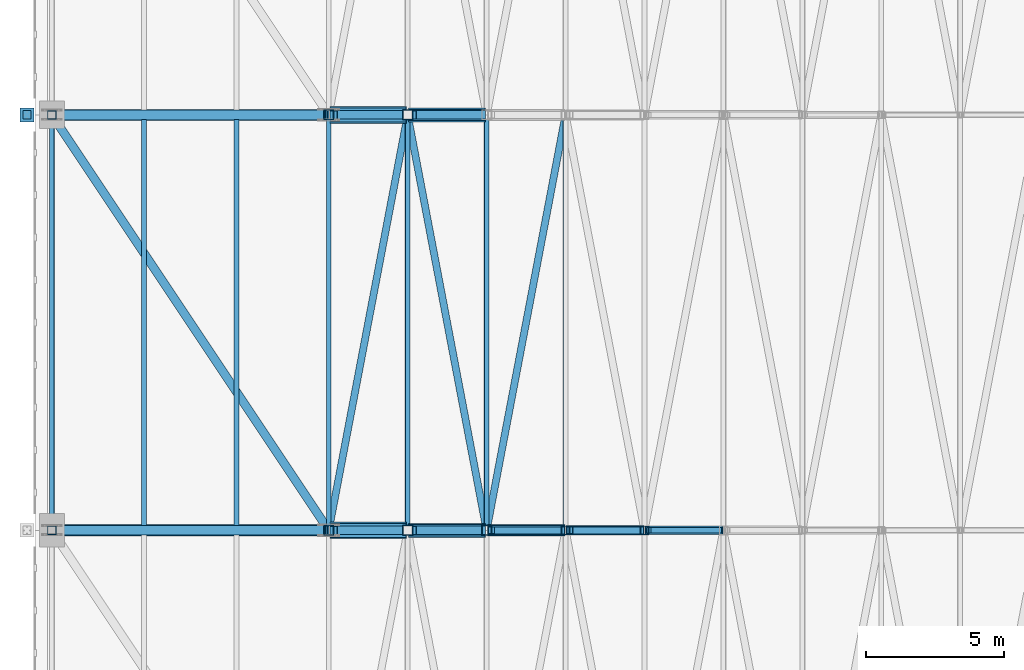
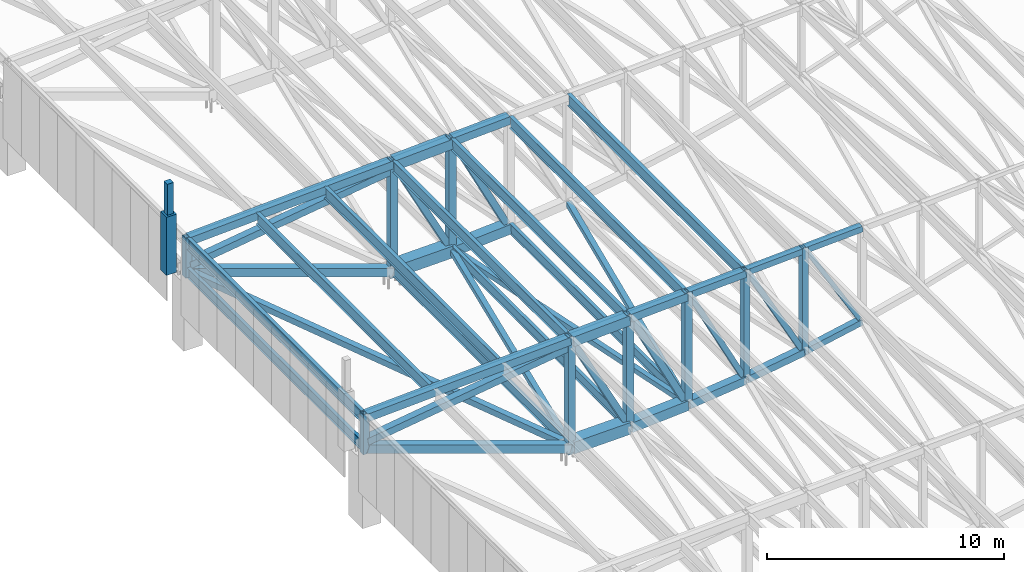
# One storey, part 36 of 278: 27 beams, 26 members.
"""IFC4 building model written with IfcOpenShell, lengths in metres."""

from ifc_helpers import new_model, si_unit, direction, frame, origin, origin_2d, place, context, subcontext, project, spatial, rectangle, hollow_rectangle, i_section, extrude, material, material_profile, profile_set, type_object, element, save


model = new_model("IFC4")

# Units and contexts
model_context = context("Model", 3, precision=1e-05, world=origin(), true_north=direction((0.0, 1.0)))
body_context = subcontext(model_context, "Body", "Model", "MODEL_VIEW")
ifc_project = project(units=[si_unit("LENGTHUNIT", "METRE"), si_unit("AREAUNIT", "SQUARE_METRE"), si_unit("VOLUMEUNIT", "CUBIC_METRE"), si_unit("PLANEANGLEUNIT", "RADIAN"), si_unit("MASSUNIT", "GRAM", prefix="KILO")], contexts=[model_context])

# Site, building, storey
site_placement = place(None, origin())
site = spatial("IfcSite", under=ifc_project, at=site_placement, CompositionType="ELEMENT")
building_placement = place(site_placement, origin())
building = spatial("IfcBuilding", under=site, at=building_placement, Name="Ogive Plaza Stadium", CompositionType="ELEMENT")
storey_placement = place(building_placement, frame((0.0, 0.0, 29.0)))
storey = spatial("IfcBuildingStorey", under=building, at=storey_placement, Name="Roof", CompositionType="ELEMENT", Elevation=29.0)

# Members
ifc_material_1 = material(Name="Concrete C45/55 precast", Category="concrete")
ifc_material_profile_1 = material_profile(ifc_material_1, rectangle(XDim=0.5, YDim=0.5, at=origin_2d()), Name="RC 500x500")
ifc_profile_set_1 = profile_set([ifc_material_profile_1], Name="Concrete C45/55 precast")
member_type_1 = type_object("IfcMemberType", Name="Precast pinnacle 500x500", PredefinedType="POST", material=ifc_profile_set_1)
member_1_placement = place(storey_placement, frame((-84.89990234375, 7.5, 4.0), z_axis=(0.0, 0.0, 1.0), x_axis=(0.0, -1.0, 0.0)))
element("IfcMember", 1, at=member_1_placement, inside=storey, type_object=member_type_1, Name="PINNACLE R25", PredefinedType="POST", context=body_context, shape_type="SweptSolid", body=[
    extrude(rectangle(XDim=0.5, YDim=0.5, at=origin_2d()), origin(), (0.0, 0.0, 1.0), 3.0),
])
ifc_material_2 = material(Name="Concrete C45/55 precast", Category="concrete")
ifc_material_profile_2 = material_profile(ifc_material_2, rectangle(XDim=0.300048828125, YDim=0.300048828125, at=origin_2d()), Name="RC 300x300")
ifc_profile_set_2 = profile_set([ifc_material_profile_2], Name="Concrete C45/55 precast")
member_type_2 = type_object("IfcMemberType", Name="Precast spire 300x300", PredefinedType="MEMBER", material=ifc_profile_set_2)
member_2_placement = place(storey_placement, frame((-84.89990234375, 7.5, 7.0), z_axis=(0.0, 0.0, 1.0), x_axis=(0.0, -1.0, 0.0)))
element("IfcMember", 2, at=member_2_placement, inside=storey, type_object=member_type_2, Name="SPIRE R25", PredefinedType="MEMBER", context=body_context, shape_type="SweptSolid", body=[
    extrude(rectangle(XDim=0.300048828125, YDim=0.300048828125, at=origin_2d()), origin(), (0.0, 0.0, 1.0), 1.60009765625),
])
ifc_material_3 = material(Name="Steel ASTM A500 Grade C", Category="steel")
ifc_material_profile_3 = material_profile(ifc_material_3, hollow_rectangle(XDim=0.25390625, YDim=0.25390625, WallThickness=0.0087890625, at=origin_2d()), Name="HSS10X10X3/8")
ifc_profile_set_3 = profile_set([ifc_material_profile_3], Name="Steel ASTM A500 Grade C")
member_type_3 = type_object("IfcMemberType", Name="Roof plan brace HSS10X10X3/8", PredefinedType="BRACE", material=ifc_profile_set_3)
member_3_placement = place(storey_placement, frame((-65.477783203125, 7.353271484375, 0.77880859375), z_axis=(-0.186639895054, -0.982268812283, -0.017706778071), x_axis=(0.982422833867, -0.186669160538, 0.0)))
element("IfcMember", 3, at=member_3_placement, inside=storey, type_object=member_type_3, Name="ROOF BRACE B24 8", PredefinedType="BRACE", context=body_context, shape_type="SweptSolid", body=[
    extrude(hollow_rectangle(XDim=0.25390625, YDim=0.25390625, WallThickness=0.0087890625, at=origin_2d()), origin(), (0.0, 0.0, 1.0), 14.946044921875),
])
member_4_placement = place(storey_placement, frame((-68.332763671875, -7.327880859375, 0.50927734375), z_axis=(-0.186657320186, 0.982381109131, -0.009295226886), x_axis=(-0.982423551356, -0.186665384421, 0.0)))
element("IfcMember", 4, at=member_4_placement, inside=storey, type_object=member_type_3, Name="ROOF BRACE B24 9", PredefinedType="BRACE", context=body_context, shape_type="SweptSolid", body=[
    extrude(hollow_rectangle(XDim=0.25390625, YDim=0.25390625, WallThickness=0.0087890625, at=origin_2d()), origin(), (0.0, 0.0, 1.0), 14.918701171875),
])
member_5_placement = place(storey_placement, frame((-71.1826171875, 7.327880859375, 0.368408203125), z_axis=(-0.186663720517, -0.982414794197, -0.004222272479), x_axis=(0.982423551356, -0.186665384421, 0.0)))
element("IfcMember", 5, at=member_5_placement, inside=storey, type_object=member_type_3, Name="ROOF BRACE B24 10", PredefinedType="BRACE", context=body_context, shape_type="SweptSolid", body=[
    extrude(hollow_rectangle(XDim=0.25390625, YDim=0.25390625, WallThickness=0.0087890625, at=origin_2d()), origin(), (0.0, 0.0, 1.0), 14.918212890625),
])
ifc_material_4 = material(Name="Steel ASTM A500 Grade C", Category="steel")
ifc_material_profile_4 = material_profile(ifc_material_4, hollow_rectangle(XDim=0.3046875, YDim=0.3046875, WallThickness=0.0087890625, at=origin_2d()), Name="HSS12X12X3/8")
ifc_profile_set_4 = profile_set([ifc_material_profile_4], Name="Steel ASTM A500 Grade C")
member_type_4 = type_object("IfcMemberType", Name="Roof plan brace HSS12X12X3/8", PredefinedType="BRACE", material=ifc_profile_set_4)
member_6_placement = place(storey_placement, frame((-74.158203125, -7.2626953125, 0.358642578125), z_axis=(-0.545096233751, 0.817651210116, 0.185247387419), x_axis=(-0.832052442118, -0.554696974542, 0.0)))
element("IfcMember", 6, at=member_6_placement, inside=storey, type_object=member_type_4, Name="ROOF BRACE B24 11", PredefinedType="BRACE", context=body_context, shape_type="SweptSolid", body=[
    extrude(hollow_rectangle(XDim=0.3046875, YDim=0.3046875, WallThickness=0.0087890625, at=origin_2d()), origin(), (0.0, 0.0, 1.0), 17.7958984375),
])
ifc_material_5 = material(Name="Steel ASTM A992 Grade 50", Category="steel")
ifc_material_profile_5 = material_profile(ifc_material_5, i_section(OverallWidth=0.1650390625, OverallDepth=0.524658203125, WebThickness=0.0087890625, FlangeThickness=0.011474609375, at=origin_2d()), Name="W21X44")
ifc_profile_set_5 = profile_set([ifc_material_profile_5], Name="Steel ASTM A992 Grade 50")
member_type_5 = type_object("IfcMemberType", Name="Roof plan strut W21X44", PredefinedType="STRUT", material=ifc_profile_set_5)
for number, where, z_axis, x_axis, name in (
    (7, (-68.300048828125, -7.352294921875, 0.510986328125), (0.0, 1.0, 0.0), (-1.0, 0.0, 0.0), "ROOF STRUT B24 8"),
    (8, (-71.14990234375, -7.352294921875, 0.369140625), (0.0, 1.0, 0.0), (-1.0, 0.0, 0.0), "ROOF STRUT B24 9"),
    (9, (-74.0, -7.352294921875, 0.3046875), (0.0, 1.0, 0.0), (-1.0, 0.0, 0.0), "ROOF STRUT B24 10"),
):
    element("IfcMember", number, at=place(storey_placement, frame(where, z_axis=z_axis, x_axis=x_axis)), inside=storey, type_object=member_type_5, Name=name, PredefinedType="STRUT", context=body_context, shape_type="SweptSolid", body=[
        extrude(i_section(OverallWidth=0.1650390625, OverallDepth=0.524658203125, WebThickness=0.0087890625, FlangeThickness=0.011474609375, at=origin_2d()), origin(), (0.0, 0.0, 1.0), 14.70458984375),
    ])
member_7_placement = place(storey_placement, frame((-84.0, -7.377685546875, 3.703125), z_axis=(0.0, 1.0, 0.0), x_axis=(-1.0, 0.0, 0.0)))
element("IfcMember", 10, at=member_7_placement, inside=storey, type_object=member_type_5, Name="ROOF STRUT B24 11", PredefinedType="STRUT", context=body_context, shape_type="SweptSolid", body=[
    extrude(i_section(OverallWidth=0.1650390625, OverallDepth=0.524658203125, WebThickness=0.0087890625, FlangeThickness=0.011474609375, at=origin_2d()), origin(), (0.0, 0.0, 1.0), 14.75537109375),
])
ifc_material_6 = material(Name="Steel ASTM A992 Grade 50", Category="steel")
ifc_material_profile_6 = material_profile(ifc_material_6, i_section(OverallWidth=0.177978515625, OverallDepth=0.5986328125, WebThickness=0.010009765625, FlangeThickness=0.012939453125, at=origin_2d()), Name="W24X55")
ifc_profile_set_6 = profile_set([ifc_material_profile_6], Name="Steel ASTM A992 Grade 50")
member_type_6 = type_object("IfcMemberType", Name="Roof purlin W24X55", PredefinedType="PURLIN", material=ifc_profile_set_6)
member_8_placement = place(storey_placement, frame((-65.449951171875, -7.377685546875, 6.128173828125), z_axis=(0.0, 1.0, 0.0), x_axis=(-1.0, 0.0, 0.0)))
element("IfcMember", 11, at=member_8_placement, inside=storey, type_object=member_type_6, Name="ROOF PURLIN B24 7", PredefinedType="PURLIN", context=body_context, shape_type="SweptSolid", body=[
    extrude(i_section(OverallWidth=0.177978515625, OverallDepth=0.5986328125, WebThickness=0.010009765625, FlangeThickness=0.012939453125, at=origin_2d()), origin(), (0.0, 0.0, 1.0), 14.75537109375),
])
for number, where, z_axis, x_axis, name in (
    (12, (-68.300048828125, -7.352294921875, 5.985595703125), (0.0, 1.0, 0.0), (-1.0, 0.0, 0.0), "ROOF PURLIN B24 8"),
    (13, (-71.14990234375, -7.352294921875, 5.84326171875), (0.0, 1.0, 0.0), (-1.0, 0.0, 0.0), "ROOF PURLIN B24 9"),
    (14, (-74.0, -7.352294921875, 5.70068359375), (0.0, 1.0, 0.0), (-1.0, 0.0, 0.0), "ROOF PURLIN B24 10"),
):
    element("IfcMember", number, at=place(storey_placement, frame(where, z_axis=z_axis, x_axis=x_axis)), inside=storey, type_object=member_type_6, Name=name, PredefinedType="PURLIN", context=body_context, shape_type="SweptSolid", body=[
        extrude(i_section(OverallWidth=0.177978515625, OverallDepth=0.5986328125, WebThickness=0.010009765625, FlangeThickness=0.012939453125, at=origin_2d()), origin(), (0.0, 0.0, 1.0), 14.70458984375),
    ])
for number, where, z_axis, x_axis, name in (
    (15, (-77.333251953125, -7.326904296875, 5.533935546875), (0.0, 1.0, 0.0), (-1.0, 0.0, 0.0), "ROOF PURLIN B24 11"),
    (16, (-80.666748046875, -7.326904296875, 5.367431640625), (0.0, 1.0, 0.0), (-1.0, 0.0, 0.0), "ROOF PURLIN B24 12"),
):
    element("IfcMember", number, at=place(storey_placement, frame(where, z_axis=z_axis, x_axis=x_axis)), inside=storey, type_object=member_type_6, Name=name, PredefinedType="PURLIN", context=body_context, shape_type="SweptSolid", body=[
        extrude(i_section(OverallWidth=0.177978515625, OverallDepth=0.5986328125, WebThickness=0.010009765625, FlangeThickness=0.012939453125, at=origin_2d()), origin(), (0.0, 0.0, 1.0), 14.65380859375),
    ])
member_9_placement = place(storey_placement, frame((-84.0, -7.377685546875, 5.20068359375), z_axis=(0.0, 1.0, 0.0), x_axis=(-1.0, 0.0, 0.0)))
element("IfcMember", 17, at=member_9_placement, inside=storey, type_object=member_type_6, Name="ROOF PURLIN B24 13", PredefinedType="PURLIN", context=body_context, shape_type="SweptSolid", body=[
    extrude(i_section(OverallWidth=0.177978515625, OverallDepth=0.5986328125, WebThickness=0.010009765625, FlangeThickness=0.012939453125, at=origin_2d()), origin(), (0.0, 0.0, 1.0), 14.75537109375),
])

# Beams
ifc_material_7 = material(Name="Steel ASTM A500 Grade C", Category="steel")
ifc_material_profile_7 = material_profile(ifc_material_7, hollow_rectangle(XDim=0.406494140625, YDim=0.406494140625, WallThickness=0.0146484375, at=origin_2d()), Name="HSS16X16X5/8")
ifc_profile_set_7 = profile_set([ifc_material_profile_7], Name="Steel ASTM A500 Grade C")
beam_type_1 = type_object("IfcBeamType", Name="Roof truss back-span bottom chord HSS16X16X5/8", PredefinedType="BEAM", material=ifc_profile_set_7)
for number, where, z_axis, x_axis, name in (
    (18, (-74.050048828125, -7.5, 0.232666015625), (-0.943851085966, 0.0, 0.330371196567), (0.0, -1.0, 0.0), "ROOF TRUSS T24 BOTTOM CHORD 11"),
    (19, (-74.050048828125, 7.5, 0.232666015625), (-0.943851085966, 0.0, 0.330371196567), (0.0, -1.0, 0.0), "ROOF TRUSS T25 BOTTOM CHORD 11"),
):
    element("IfcBeam", number, at=place(storey_placement, frame(where, z_axis=z_axis, x_axis=x_axis)), inside=storey, type_object=beam_type_1, Name=name, PredefinedType="BEAM", context=body_context, shape_type="SweptSolid", body=[
        extrude(hollow_rectangle(XDim=0.406494140625, YDim=0.406494140625, WallThickness=0.0146484375, at=origin_2d()), origin(), (0.0, 0.0, 1.0), 10.470703125),
    ])
ifc_material_8 = material(Name="Steel ASTM A500 Grade C", Category="steel")
ifc_material_profile_8 = material_profile(ifc_material_8, hollow_rectangle(XDim=0.406494140625, YDim=0.406494140625, WallThickness=0.0146484375, at=origin_2d()), Name="HSS16X16X5/8")
ifc_profile_set_8 = profile_set([ifc_material_profile_8], Name="Steel ASTM A500 Grade C")
beam_type_2 = type_object("IfcBeamType", Name="Roof truss back-span top chord HSS16X16X5/8", PredefinedType="BEAM", material=ifc_profile_set_8)
for number, where, z_axis, x_axis, name in (
    (20, (-74.050048828125, -7.5, 5.7939453125), (-0.998752953021, 0.0, -0.049925332571), (0.0, -1.0, 0.0), "ROOF TRUSS T24 TOP CHORD 11"),
    (21, (-74.050048828125, 7.5, 5.7939453125), (-0.998752953021, 0.0, -0.049925332571), (0.0, -1.0, 0.0), "ROOF TRUSS T25 TOP CHORD 11"),
):
    element("IfcBeam", number, at=place(storey_placement, frame(where, z_axis=z_axis, x_axis=x_axis)), inside=storey, type_object=beam_type_2, Name=name, PredefinedType="BEAM", context=body_context, shape_type="SweptSolid", body=[
        extrude(hollow_rectangle(XDim=0.406494140625, YDim=0.406494140625, WallThickness=0.0146484375, at=origin_2d()), origin(), (0.0, 0.0, 1.0), 9.912353515625),
    ])

# Members
ifc_material_9 = material(Name="Steel ASTM A500 Grade C", Category="steel")
ifc_material_profile_9 = material_profile(ifc_material_9, hollow_rectangle(XDim=0.355712890625, YDim=0.355712890625, WallThickness=0.0146484375, at=origin_2d()), Name="HSS14X14X5/8")
ifc_profile_set_9 = profile_set([ifc_material_profile_9], Name="Steel ASTM A500 Grade C")
member_type_7 = type_object("IfcMemberType", Name="Roof truss back-stay HSS14X14X5/8", PredefinedType="BRACE", material=ifc_profile_set_9)
for number, where, z_axis, x_axis, name in (
    (22, (-74.093017578125, -7.5, 5.45654296875), (-0.989844100519, 0.0, -0.142157154826), (0.0, -1.0, 0.0), "BACK-STAY T24"),
    (23, (-74.093017578125, 7.5, 5.45654296875), (-0.989844100519, 0.0, -0.142157154826), (0.0, -1.0, 0.0), "BACK-STAY T25"),
):
    element("IfcMember", number, at=place(storey_placement, frame(where, z_axis=z_axis, x_axis=x_axis)), inside=storey, type_object=member_type_7, Name=name, PredefinedType="BRACE", context=body_context, shape_type="SweptSolid", body=[
        extrude(hollow_rectangle(XDim=0.355712890625, YDim=0.355712890625, WallThickness=0.0146484375, at=origin_2d()), origin(), (0.0, 0.0, 1.0), 9.9404296875),
    ])

# Beams
ifc_material_10 = material(Name="Steel ASTM A500 Grade C", Category="steel")
ifc_material_profile_10 = material_profile(ifc_material_10, hollow_rectangle(XDim=0.3046875, YDim=0.3046875, WallThickness=0.0146484375, at=origin_2d()), Name="HSS12X12X5/8")
ifc_profile_set_10 = profile_set([ifc_material_profile_10], Name="Steel ASTM A500 Grade C")
beam_type_3 = type_object("IfcBeamType", Name="Roof truss bottom chord HSS12X12X5/8", PredefinedType="BEAM", material=ifc_profile_set_10)
beam_1_placement = place(storey_placement, frame((-59.800048828125, -7.5, 1.751708984375), z_axis=(-0.980021250437, 0.0, -0.19889280704), x_axis=(0.0, -1.0, 0.0)))
element("IfcBeam", 24, at=beam_1_placement, inside=storey, type_object=beam_type_3, Name="ROOF TRUSS T24 BOTTOM CHORD 6", PredefinedType="BEAM", context=body_context, shape_type="SweptSolid", body=[
    extrude(hollow_rectangle(XDim=0.3046875, YDim=0.3046875, WallThickness=0.0146484375, at=origin_2d()), origin(), (0.0, 0.0, 1.0), 2.80615234375),
])
ifc_material_11 = material(Name="Steel ASTM A500 Grade C", Category="steel")
ifc_material_profile_11 = material_profile(ifc_material_11, hollow_rectangle(XDim=0.355712890625, YDim=0.355712890625, WallThickness=0.0146484375, at=origin_2d()), Name="HSS14X14X5/8")
ifc_profile_set_11 = profile_set([ifc_material_profile_11], Name="Steel ASTM A500 Grade C")
beam_type_4 = type_object("IfcBeamType", Name="Roof truss bottom chord HSS14X14X5/8", PredefinedType="BEAM", material=ifc_profile_set_11)
beam_2_placement = place(storey_placement, frame((-62.64990234375, -7.5, 1.2001953125), z_axis=(-0.987770074518, 0.0, -0.155917541947), x_axis=(0.0, -1.0, 0.0)))
element("IfcBeam", 25, at=beam_2_placement, inside=storey, type_object=beam_type_4, Name="ROOF TRUSS T24 BOTTOM CHORD 7", PredefinedType="BEAM", context=body_context, shape_type="SweptSolid", body=[
    extrude(hollow_rectangle(XDim=0.355712890625, YDim=0.355712890625, WallThickness=0.0146484375, at=origin_2d()), origin(), (0.0, 0.0, 1.0), 2.783935546875),
])
ifc_material_12 = material(Name="Steel ASTM A500 Grade C", Category="steel")
ifc_material_profile_12 = material_profile(ifc_material_12, hollow_rectangle(XDim=0.406494140625, YDim=0.406494140625, WallThickness=0.0146484375, at=origin_2d()), Name="HSS16X16X5/8")
ifc_profile_set_12 = profile_set([ifc_material_profile_12], Name="Steel ASTM A500 Grade C")
beam_type_5 = type_object("IfcBeamType", Name="Roof truss bottom chord HSS16X16X5/8", PredefinedType="BEAM", material=ifc_profile_set_12)
beam_3_placement = place(storey_placement, frame((-65.5, -7.5, 0.777099609375), z_axis=(-0.993703844406, 0.0, -0.112038696946), x_axis=(0.0, -1.0, 0.0)))
element("IfcBeam", 26, at=beam_3_placement, inside=storey, type_object=beam_type_5, Name="ROOF TRUSS T24 BOTTOM CHORD 8", PredefinedType="BEAM", context=body_context, shape_type="SweptSolid", body=[
    extrude(hollow_rectangle(XDim=0.406494140625, YDim=0.406494140625, WallThickness=0.0146484375, at=origin_2d()), origin(), (0.0, 0.0, 1.0), 2.767333984375),
])
ifc_material_13 = material(Name="Steel ASTM A500 Grade C", Category="steel")
ifc_material_profile_13 = material_profile(ifc_material_13, hollow_rectangle(XDim=0.508056640625, YDim=0.508056640625, WallThickness=0.0146484375, at=origin_2d()), Name="HSS20X20X5/8")
ifc_profile_set_13 = profile_set([ifc_material_profile_13], Name="Steel ASTM A500 Grade C")
beam_type_6 = type_object("IfcBeamType", Name="Roof truss bottom chord HSS20X20X5/8", PredefinedType="BEAM", material=ifc_profile_set_13)
for number, where, z_axis, x_axis, name in (
    (27, (-68.35009765625, -7.5, 0.50830078125), (-0.997719620387, 0.0, -0.06749488199), (0.0, -1.0, 0.0), "ROOF TRUSS T24 BOTTOM CHORD 9"),
    (28, (-68.35009765625, 7.5, 0.50830078125), (-0.997719620387, 0.0, -0.06749488199), (0.0, -1.0, 0.0), "ROOF TRUSS T25 BOTTOM CHORD 9"),
):
    element("IfcBeam", number, at=place(storey_placement, frame(where, z_axis=z_axis, x_axis=x_axis)), inside=storey, type_object=beam_type_6, Name=name, PredefinedType="BEAM", context=body_context, shape_type="SweptSolid", body=[
        extrude(hollow_rectangle(XDim=0.508056640625, YDim=0.508056640625, WallThickness=0.0146484375, at=origin_2d()), origin(), (0.0, 0.0, 1.0), 2.75634765625),
    ])
ifc_material_14 = material(Name="Steel ASTM A500 Grade C", Category="steel")
ifc_material_profile_14 = material_profile(ifc_material_14, hollow_rectangle(XDim=0.609619140625, YDim=0.609619140625, WallThickness=0.0146484375, at=origin_2d()), Name="HSS24X24X5/8")
ifc_profile_set_14 = profile_set([ifc_material_profile_14], Name="Steel ASTM A500 Grade C")
beam_type_7 = type_object("IfcBeamType", Name="Roof truss bottom chord HSS24X24X5/8", PredefinedType="BEAM", material=ifc_profile_set_14)
for number, where, z_axis, x_axis, name in (
    (29, (-71.199951171875, -7.5, 0.367919921875), (-0.999745852076, 0.0, -0.022543984946), (0.0, -1.0, 0.0), "ROOF TRUSS T24 BOTTOM CHORD 10"),
    (30, (-71.199951171875, 7.5, 0.367919921875), (-0.999745852076, 0.0, -0.022543984946), (0.0, -1.0, 0.0), "ROOF TRUSS T25 BOTTOM CHORD 10"),
):
    element("IfcBeam", number, at=place(storey_placement, frame(where, z_axis=z_axis, x_axis=x_axis)), inside=storey, type_object=beam_type_7, Name=name, PredefinedType="BEAM", context=body_context, shape_type="SweptSolid", body=[
        extrude(hollow_rectangle(XDim=0.609619140625, YDim=0.609619140625, WallThickness=0.0146484375, at=origin_2d()), origin(), (0.0, 0.0, 1.0), 2.750732421875),
    ])

# Members
ifc_material_15 = material(Name="Steel ASTM A500 Grade C", Category="steel")
ifc_material_profile_15 = material_profile(ifc_material_15, hollow_rectangle(XDim=0.25390625, YDim=0.25390625, WallThickness=0.0087890625, at=origin_2d()), Name="HSS10X10X3/8")
ifc_profile_set_15 = profile_set([ifc_material_profile_15], Name="Steel ASTM A500 Grade C")
member_type_8 = type_object("IfcMemberType", Name="Roof truss diagonal HSS10X10X3/8", PredefinedType="BRACE", material=ifc_profile_set_15)
member_10_placement = place(storey_placement, frame((-62.75244140625, -7.5, 1.383544921875), z_axis=(-0.473127942579, 0.0, 0.880993728667), x_axis=(0.0, -1.0, 0.0)))
element("IfcMember", 31, at=member_10_placement, inside=storey, type_object=member_type_8, Name="ROOF TRUSS T24 DIAGONAL 7", PredefinedType="BRACE", context=body_context, shape_type="SweptSolid", body=[
    extrude(hollow_rectangle(XDim=0.25390625, YDim=0.25390625, WallThickness=0.0087890625, at=origin_2d()), origin(), (0.0, 0.0, 1.0), 5.37939453125),
])
member_11_placement = place(storey_placement, frame((-65.602294921875, -7.5, 0.984619140625), z_axis=(-0.454062843231, 0.0, 0.890969659639), x_axis=(0.0, -1.0, 0.0)))
element("IfcMember", 32, at=member_11_placement, inside=storey, type_object=member_type_8, Name="ROOF TRUSS T24 DIAGONAL 8", PredefinedType="BRACE", context=body_context, shape_type="SweptSolid", body=[
    extrude(hollow_rectangle(XDim=0.25390625, YDim=0.25390625, WallThickness=0.0087890625, at=origin_2d()), origin(), (0.0, 0.0, 1.0), 5.550048828125),
])
ifc_material_16 = material(Name="Steel ASTM A500 Grade C", Category="steel")
ifc_material_profile_16 = material_profile(ifc_material_16, hollow_rectangle(XDim=0.3046875, YDim=0.3046875, WallThickness=0.0087890625, at=origin_2d()), Name="HSS12X12X3/8")
ifc_profile_set_16 = profile_set([ifc_material_profile_16], Name="Steel ASTM A500 Grade C")
member_type_9 = type_object("IfcMemberType", Name="Roof truss diagonal HSS12X12X3/8", PredefinedType="BRACE", material=ifc_profile_set_16)
member_12_placement = place(storey_placement, frame((-68.477783203125, -7.5, 0.764892578125), z_axis=(-0.448477330766, 0.0, 0.893794206621), x_axis=(0.0, -1.0, 0.0)))
element("IfcMember", 33, at=member_12_placement, inside=storey, type_object=member_type_9, Name="ROOF TRUSS T24 DIAGONAL 9", PredefinedType="BRACE", context=body_context, shape_type="SweptSolid", body=[
    extrude(hollow_rectangle(XDim=0.3046875, YDim=0.3046875, WallThickness=0.0087890625, at=origin_2d()), origin(), (0.0, 0.0, 1.0), 5.56201171875),
])
member_13_placement = place(storey_placement, frame((-71.327880859375, -7.5, 0.673828125), z_axis=(-0.459750963822, 0.0, 0.888047887934), x_axis=(0.0, -1.0, 0.0)))
element("IfcMember", 34, at=member_13_placement, inside=storey, type_object=member_type_9, Name="ROOF TRUSS T24 DIAGONAL 10", PredefinedType="BRACE", context=body_context, shape_type="SweptSolid", body=[
    extrude(hollow_rectangle(XDim=0.3046875, YDim=0.3046875, WallThickness=0.0087890625, at=origin_2d()), origin(), (0.0, 0.0, 1.0), 5.425537109375),
])
member_14_placement = place(storey_placement, frame((-68.477783203125, 7.5, 0.764892578125), z_axis=(-0.448477330766, 0.0, 0.893794206621), x_axis=(0.0, -1.0, 0.0)))
element("IfcMember", 35, at=member_14_placement, inside=storey, type_object=member_type_9, Name="ROOF TRUSS T25 DIAGONAL 9", PredefinedType="BRACE", context=body_context, shape_type="SweptSolid", body=[
    extrude(hollow_rectangle(XDim=0.3046875, YDim=0.3046875, WallThickness=0.0087890625, at=origin_2d()), origin(), (0.0, 0.0, 1.0), 5.56201171875),
])
member_15_placement = place(storey_placement, frame((-71.327880859375, 7.5, 0.673828125), z_axis=(-0.459750963822, 0.0, 0.888047887934), x_axis=(0.0, -1.0, 0.0)))
element("IfcMember", 36, at=member_15_placement, inside=storey, type_object=member_type_9, Name="ROOF TRUSS T25 DIAGONAL 10", PredefinedType="BRACE", context=body_context, shape_type="SweptSolid", body=[
    extrude(hollow_rectangle(XDim=0.3046875, YDim=0.3046875, WallThickness=0.0087890625, at=origin_2d()), origin(), (0.0, 0.0, 1.0), 5.425537109375),
])
ifc_material_17 = material(Name="Steel ASTM A500 Grade C", Category="steel")
ifc_material_profile_17 = material_profile(ifc_material_17, hollow_rectangle(XDim=0.203125, YDim=0.203125, WallThickness=0.0087890625, at=origin_2d()), Name="HSS8X8X3/8")
ifc_profile_set_17 = profile_set([ifc_material_profile_17], Name="Steel ASTM A500 Grade C")
member_type_10 = type_object("IfcMemberType", Name="Roof truss diagonal HSS8X8X3/8", PredefinedType="BRACE", material=ifc_profile_set_17)
member_16_placement = place(storey_placement, frame((-59.90234375, -7.5, 1.9111328125), z_axis=(-0.504659398762, 0.0, 0.863318534054), x_axis=(0.0, -1.0, 0.0)))
element("IfcMember", 37, at=member_16_placement, inside=storey, type_object=member_type_10, Name="ROOF TRUSS T24 DIAGONAL 6", PredefinedType="BRACE", context=body_context, shape_type="SweptSolid", body=[
    extrude(hollow_rectangle(XDim=0.203125, YDim=0.203125, WallThickness=0.0087890625, at=origin_2d()), origin(), (0.0, 0.0, 1.0), 5.043212890625),
])

# Beams
ifc_material_18 = material(Name="Steel ASTM A500 Grade C", Category="steel")
ifc_material_profile_18 = material_profile(ifc_material_18, hollow_rectangle(XDim=0.3046875, YDim=0.3046875, WallThickness=0.01171875, at=origin_2d()), Name="HSS12X12X1/2")
ifc_profile_set_18 = profile_set([ifc_material_profile_18], Name="Steel ASTM A500 Grade C")
beam_type_8 = type_object("IfcBeamType", Name="Roof truss post HSS12X12X1/2", PredefinedType="BEAM", material=ifc_profile_set_18)
for number, where, z_axis, x_axis, name in (
    (38, (-84.0, -7.5, 3.43994140625), (0.0, 0.0, 1.0), (0.0, -1.0, 0.0), "ROOF TRUSS T24 POST 12"),
    (39, (-84.0, 7.5, 3.43994140625), (0.0, 0.0, 1.0), (0.0, -1.0, 0.0), "ROOF TRUSS T25 POST 12"),
):
    element("IfcBeam", number, at=place(storey_placement, frame(where, z_axis=z_axis, x_axis=x_axis)), inside=storey, type_object=beam_type_8, Name=name, PredefinedType="BEAM", context=body_context, shape_type="SweptSolid", body=[
        extrude(hollow_rectangle(XDim=0.3046875, YDim=0.3046875, WallThickness=0.01171875, at=origin_2d()), origin(), (0.0, 0.0, 1.0), 2.06005859375),
    ])
ifc_material_19 = material(Name="Steel ASTM A500 Grade C", Category="steel")
ifc_material_profile_19 = material_profile(ifc_material_19, hollow_rectangle(XDim=0.3046875, YDim=0.3046875, WallThickness=0.0146484375, at=origin_2d()), Name="HSS12X12X5/8")
ifc_profile_set_19 = profile_set([ifc_material_profile_19], Name="Steel ASTM A500 Grade C")
beam_type_9 = type_object("IfcBeamType", Name="Roof truss post HSS12X12X5/8", PredefinedType="BEAM", material=ifc_profile_set_19)
beam_4_placement = place(storey_placement, frame((-62.60009765625, -7.5, 1.028076171875), z_axis=(0.0, 0.0, 1.0), x_axis=(0.0, -1.0, 0.0)))
element("IfcBeam", 40, at=beam_4_placement, inside=storey, type_object=beam_type_9, Name="ROOF TRUSS T24 POST 7", PredefinedType="BEAM", context=body_context, shape_type="SweptSolid", body=[
    extrude(hollow_rectangle(XDim=0.3046875, YDim=0.3046875, WallThickness=0.0146484375, at=origin_2d()), origin(), (0.0, 0.0, 1.0), 5.5419921875),
])
beam_5_placement = place(storey_placement, frame((-65.449951171875, -7.5, 0.578369140625), z_axis=(0.0, 0.0, 1.0), x_axis=(0.0, -1.0, 0.0)))
element("IfcBeam", 41, at=beam_5_placement, inside=storey, type_object=beam_type_9, Name="ROOF TRUSS T24 POST 8", PredefinedType="BEAM", context=body_context, shape_type="SweptSolid", body=[
    extrude(hollow_rectangle(XDim=0.3046875, YDim=0.3046875, WallThickness=0.0146484375, at=origin_2d()), origin(), (0.0, 0.0, 1.0), 5.84912109375),
])
ifc_material_20 = material(Name="Steel ASTM A500 Grade C", Category="steel")
ifc_material_profile_20 = material_profile(ifc_material_20, hollow_rectangle(XDim=0.355712890625, YDim=0.355712890625, WallThickness=0.0146484375, at=origin_2d()), Name="HSS14X14X5/8")
ifc_profile_set_20 = profile_set([ifc_material_profile_20], Name="Steel ASTM A500 Grade C")
beam_type_10 = type_object("IfcBeamType", Name="Roof truss post HSS14X14X5/8", PredefinedType="BEAM", material=ifc_profile_set_20)
beam_6_placement = place(storey_placement, frame((-68.300048828125, -7.5, 0.257080078125), z_axis=(0.0, 0.0, 1.0), x_axis=(0.0, -1.0, 0.0)))
element("IfcBeam", 42, at=beam_6_placement, inside=storey, type_object=beam_type_10, Name="ROOF TRUSS T24 POST 9", PredefinedType="BEAM", context=body_context, shape_type="SweptSolid", body=[
    extrude(hollow_rectangle(XDim=0.355712890625, YDim=0.355712890625, WallThickness=0.0146484375, at=origin_2d()), origin(), (0.0, 0.0, 1.0), 6.02783203125),
])
beam_7_placement = place(storey_placement, frame((-71.14990234375, -7.5, 0.064208984375), z_axis=(0.0, 0.0, 1.0), x_axis=(0.0, -1.0, 0.0)))
element("IfcBeam", 43, at=beam_7_placement, inside=storey, type_object=beam_type_10, Name="ROOF TRUSS T24 POST 10", PredefinedType="BEAM", context=body_context, shape_type="SweptSolid", body=[
    extrude(hollow_rectangle(XDim=0.355712890625, YDim=0.355712890625, WallThickness=0.0146484375, at=origin_2d()), origin(), (0.0, 0.0, 1.0), 6.078369140625),
])
beam_8_placement = place(storey_placement, frame((-74.0, -7.5, -0.06005859375), z_axis=(0.0, 0.0, 1.0), x_axis=(0.0, -1.0, 0.0)))
element("IfcBeam", 44, at=beam_8_placement, inside=storey, type_object=beam_type_10, Name="ROOF TRUSS T24 POST 11", PredefinedType="BEAM", context=body_context, shape_type="SweptSolid", body=[
    extrude(hollow_rectangle(XDim=0.355712890625, YDim=0.355712890625, WallThickness=0.0146484375, at=origin_2d()), origin(), (0.0, 0.0, 1.0), 6.06005859375),
])
beam_9_placement = place(storey_placement, frame((-71.14990234375, 7.5, 0.064208984375), z_axis=(0.0, 0.0, 1.0), x_axis=(0.0, -1.0, 0.0)))
element("IfcBeam", 45, at=beam_9_placement, inside=storey, type_object=beam_type_10, Name="ROOF TRUSS T25 POST 10", PredefinedType="BEAM", context=body_context, shape_type="SweptSolid", body=[
    extrude(hollow_rectangle(XDim=0.355712890625, YDim=0.355712890625, WallThickness=0.0146484375, at=origin_2d()), origin(), (0.0, 0.0, 1.0), 6.078369140625),
])
beam_10_placement = place(storey_placement, frame((-74.0, 7.5, -0.06005859375), z_axis=(0.0, 0.0, 1.0), x_axis=(0.0, -1.0, 0.0)))
element("IfcBeam", 46, at=beam_10_placement, inside=storey, type_object=beam_type_10, Name="ROOF TRUSS T25 POST 11", PredefinedType="BEAM", context=body_context, shape_type="SweptSolid", body=[
    extrude(hollow_rectangle(XDim=0.355712890625, YDim=0.355712890625, WallThickness=0.0146484375, at=origin_2d()), origin(), (0.0, 0.0, 1.0), 6.06005859375),
])
ifc_material_21 = material(Name="Steel ASTM A500 Grade C", Category="steel")
ifc_material_profile_21 = material_profile(ifc_material_21, hollow_rectangle(XDim=0.3046875, YDim=0.3046875, WallThickness=0.01171875, at=origin_2d()), Name="HSS12X12X1/2")
ifc_profile_set_21 = profile_set([ifc_material_profile_21], Name="Steel ASTM A500 Grade C")
beam_type_11 = type_object("IfcBeamType", Name="Roof truss top chord HSS12X12X1/2", PredefinedType="BEAM", material=ifc_profile_set_21)
beam_11_placement = place(storey_placement, frame((-62.64990234375, -7.5, 6.414794921875), z_axis=(-0.998753223187, 0.0, -0.049919927615), x_axis=(0.0, -1.0, 0.0)))
element("IfcBeam", 47, at=beam_11_placement, inside=storey, type_object=beam_type_11, Name="ROOF TRUSS T24 TOP CHORD 7", PredefinedType="BEAM", context=body_context, shape_type="SweptSolid", body=[
    extrude(hollow_rectangle(XDim=0.3046875, YDim=0.3046875, WallThickness=0.01171875, at=origin_2d()), origin(), (0.0, 0.0, 1.0), 2.75341796875),
])
ifc_material_22 = material(Name="Steel ASTM A500 Grade C", Category="steel")
ifc_material_profile_22 = material_profile(ifc_material_22, hollow_rectangle(XDim=0.3046875, YDim=0.3046875, WallThickness=0.0087890625, at=origin_2d()), Name="HSS12X12X3/8")
ifc_profile_set_22 = profile_set([ifc_material_profile_22], Name="Steel ASTM A500 Grade C")
beam_type_12 = type_object("IfcBeamType", Name="Roof truss top chord HSS12X12X3/8", PredefinedType="BEAM", material=ifc_profile_set_22)
beam_12_placement = place(storey_placement, frame((-59.800048828125, -7.5, 6.557373046875), z_axis=(-0.998753223187, 0.0, -0.049919927615), x_axis=(0.0, -1.0, 0.0)))
element("IfcBeam", 48, at=beam_12_placement, inside=storey, type_object=beam_type_12, Name="ROOF TRUSS T24 TOP CHORD 6", PredefinedType="BEAM", context=body_context, shape_type="SweptSolid", body=[
    extrude(hollow_rectangle(XDim=0.3046875, YDim=0.3046875, WallThickness=0.0087890625, at=origin_2d()), origin(), (0.0, 0.0, 1.0), 2.75341796875),
])
ifc_material_23 = material(Name="Steel ASTM A500 Grade C", Category="steel")
ifc_material_profile_23 = material_profile(ifc_material_23, hollow_rectangle(XDim=0.355712890625, YDim=0.355712890625, WallThickness=0.01171875, at=origin_2d()), Name="HSS14X14X1/2")
ifc_profile_set_23 = profile_set([ifc_material_profile_23], Name="Steel ASTM A500 Grade C")
beam_type_13 = type_object("IfcBeamType", Name="Roof truss top chord HSS14X14X1/2", PredefinedType="BEAM", material=ifc_profile_set_23)
beam_13_placement = place(storey_placement, frame((-65.5, -7.5, 6.2470703125), z_axis=(-0.998748798523, 0.0, -0.05000837379), x_axis=(0.0, -1.0, 0.0)))
element("IfcBeam", 49, at=beam_13_placement, inside=storey, type_object=beam_type_13, Name="ROOF TRUSS T24 TOP CHORD 8", PredefinedType="BEAM", context=body_context, shape_type="SweptSolid", body=[
    extrude(hollow_rectangle(XDim=0.355712890625, YDim=0.355712890625, WallThickness=0.01171875, at=origin_2d()), origin(), (0.0, 0.0, 1.0), 2.75341796875),
])
ifc_material_24 = material(Name="Steel ASTM A500 Grade C", Category="steel")
ifc_material_profile_24 = material_profile(ifc_material_24, hollow_rectangle(XDim=0.406494140625, YDim=0.406494140625, WallThickness=0.01171875, at=origin_2d()), Name="HSS16X16X1/2")
ifc_profile_set_24 = profile_set([ifc_material_profile_24], Name="Steel ASTM A500 Grade C")
beam_type_14 = type_object("IfcBeamType", Name="Roof truss top chord HSS16X16X1/2", PredefinedType="BEAM", material=ifc_profile_set_24)
for number, where, z_axis, x_axis, name in (
    (50, (-68.35009765625, -7.5, 6.0791015625), (-0.998753223187, 0.0, -0.049919927615), (0.0, -1.0, 0.0), "ROOF TRUSS T24 TOP CHORD 9"),
    (51, (-68.35009765625, 7.5, 6.0791015625), (-0.998753223187, 0.0, -0.049919927615), (0.0, -1.0, 0.0), "ROOF TRUSS T25 TOP CHORD 9"),
):
    element("IfcBeam", number, at=place(storey_placement, frame(where, z_axis=z_axis, x_axis=x_axis)), inside=storey, type_object=beam_type_14, Name=name, PredefinedType="BEAM", context=body_context, shape_type="SweptSolid", body=[
        extrude(hollow_rectangle(XDim=0.406494140625, YDim=0.406494140625, WallThickness=0.01171875, at=origin_2d()), origin(), (0.0, 0.0, 1.0), 2.75341796875),
    ])
ifc_material_25 = material(Name="Steel ASTM A500 Grade C", Category="steel")
ifc_material_profile_25 = material_profile(ifc_material_25, hollow_rectangle(XDim=0.508056640625, YDim=0.508056640625, WallThickness=0.0146484375, at=origin_2d()), Name="HSS20X20X5/8")
ifc_profile_set_25 = profile_set([ifc_material_profile_25], Name="Steel ASTM A500 Grade C")
beam_type_15 = type_object("IfcBeamType", Name="Roof truss top chord HSS20X20X5/8", PredefinedType="BEAM", material=ifc_profile_set_25)
for number, where, z_axis, x_axis, name in (
    (52, (-71.199951171875, -7.5, 5.8857421875), (-0.998753223187, 0.0, -0.049919927615), (0.0, -1.0, 0.0), "ROOF TRUSS T24 TOP CHORD 10"),
    (53, (-71.199951171875, 7.5, 5.8857421875), (-0.998753223187, 0.0, -0.049919927615), (0.0, -1.0, 0.0), "ROOF TRUSS T25 TOP CHORD 10"),
):
    element("IfcBeam", number, at=place(storey_placement, frame(where, z_axis=z_axis, x_axis=x_axis)), inside=storey, type_object=beam_type_15, Name=name, PredefinedType="BEAM", context=body_context, shape_type="SweptSolid", body=[
        extrude(hollow_rectangle(XDim=0.508056640625, YDim=0.508056640625, WallThickness=0.0146484375, at=origin_2d()), origin(), (0.0, 0.0, 1.0), 2.75341796875),
    ])

save(model, "model.ifc")
